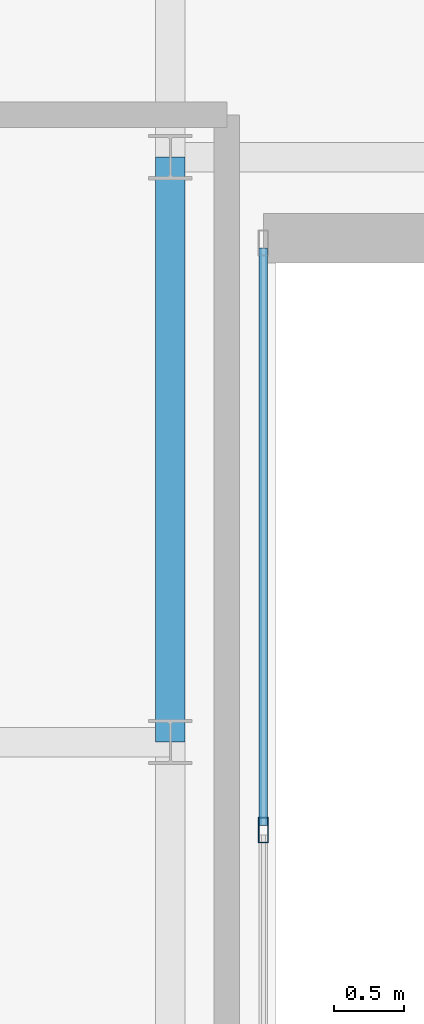
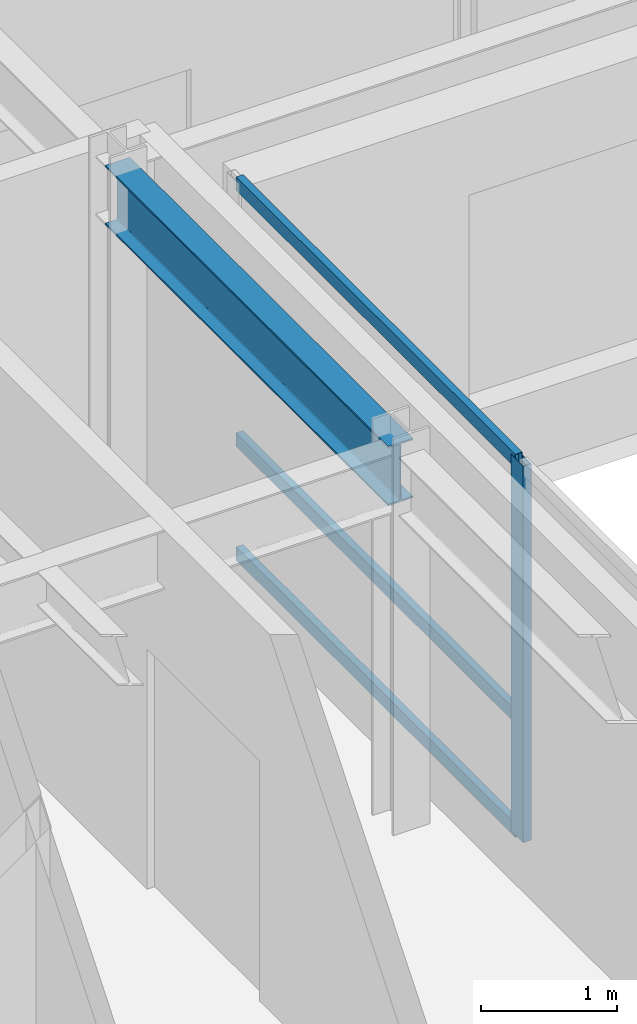
# One storey, part 6 of 18: 4 members, 1 beam, 1 element without a shape of its own.
"""IFC4 building model written with IfcOpenShell, lengths in metres."""

import ifcopenshell
import ifcopenshell.guid

model = None  # the IFC model being written
_history = None  # IfcOwnerHistory: only IFC2X3 demands one
_inside = {}  # id of a spatial element -> (the spatial element, [elements in it])
_under = {}  # id of a project, library or spatial element -> (it, [spatial elements below it])
_declared = {}  # id of a project -> (the project, [libraries it declares])
_typed = {}  # id of a type object -> (the type object, [elements of that type])
_made_of = {}  # id of a material, layer set ... -> (it, [elements and type objects made of it])


def new_model(schema):
    """Start an empty IFC model of exactly this schema.

    Asked for "IFC4X3", IfcOpenShell would pick the latest addendum, in which some entities
    have other attributes; the version numbers below select the first issue.
    IFC2X3 requires an IfcOwnerHistory on every rooted entity: one is made here for all.
    """
    global model, _history
    if schema == "IFC4X3":
        model = ifcopenshell.file(schema_version=(4, 3, 0, 0))
    else:
        model = ifcopenshell.file(schema=schema)
    _inside.clear()
    _under.clear()
    _declared.clear()
    _typed.clear()
    _made_of.clear()
    _history = None
    if model.schema == "IFC2X3":
        org = make("IfcOrganization", Name="unknown")
        user = make(
            "IfcPersonAndOrganization",
            ThePerson=make("IfcPerson", FamilyName="unknown"),
            TheOrganization=org,
        )
        app = make(
            "IfcApplication",
            ApplicationDeveloper=org,
            Version="unknown",
            ApplicationFullName="unknown",
            ApplicationIdentifier="unknown",
        )
        _history = make(
            "IfcOwnerHistory",
            OwningUser=user,
            OwningApplication=app,
            ChangeAction="ADDED",
            CreationDate=0,
        )
    return model


def make(cls, **values):
    """One entity of the class cls with the attributes given. An attribute that is None is left unset."""
    return model.create_entity(
        cls, **{name: value for name, value in values.items() if value is not None}
    )


def rooted(cls, **values):
    """An entity with a GlobalId (a new one), such as an element, a storey or a relation."""
    return make(cls, GlobalId=ifcopenshell.guid.new(), OwnerHistory=_history, **values)


def si_unit(unit_type, name, prefix=None):
    """IfcSIUnit, for example si_unit("LENGTHUNIT", "METRE", prefix="MILLI")."""
    return make("IfcSIUnit", UnitType=unit_type, Prefix=prefix, Name=name)


def assignment(units):
    """IfcUnitAssignment: the units of a project."""
    return None if units is None else make("IfcUnitAssignment", Units=units)


def point(xyz):
    """IfcCartesianPoint."""
    return None if xyz is None else make("IfcCartesianPoint", Coordinates=xyz)


def direction(xyz):
    """IfcDirection."""
    return None if xyz is None else make("IfcDirection", DirectionRatios=xyz)


def frame(location, z_axis=None, x_axis=None):
    """IfcAxis2Placement3D, a coordinate frame: its origin and axes. An axis left out is left unset."""
    return make(
        "IfcAxis2Placement3D",
        Location=point(location),
        Axis=direction(z_axis),
        RefDirection=direction(x_axis),
    )


def frame_2d(location, x_axis=None):
    """IfcAxis2Placement2D, a coordinate frame in the plane: its origin and x axis."""
    return make(
        "IfcAxis2Placement2D", Location=point(location), RefDirection=direction(x_axis)
    )


def origin():
    """The frame at (0, 0, 0) with its axes left unset."""
    return frame((0.0, 0.0, 0.0))


def origin_2d():
    """The frame at (0, 0) in the plane with its x axis left unset."""
    return frame_2d((0.0, 0.0))


def place(relative_to, where):
    """IfcLocalPlacement: puts the frame where relative to a parent placement (None: the world)."""
    return make(
        "IfcLocalPlacement", PlacementRelTo=relative_to, RelativePlacement=where
    )


def context(
    kind, dimensions, precision=None, world=None, true_north=None, identifier=None
):
    """IfcGeometricRepresentationContext, for example the 3D "Model" context."""
    return make(
        "IfcGeometricRepresentationContext",
        ContextIdentifier=identifier,
        ContextType=kind,
        CoordinateSpaceDimension=dimensions,
        Precision=precision,
        WorldCoordinateSystem=world,
        TrueNorth=true_north,
    )


def subcontext(parent, identifier, kind, view, scale=None):
    """IfcGeometricRepresentationSubContext, for example "Body" below "Model"."""
    return make(
        "IfcGeometricRepresentationSubContext",
        ContextIdentifier=identifier,
        ContextType=kind,
        ParentContext=parent,
        TargetScale=scale,
        TargetView=view,
    )


def project(units=None, contexts=None):
    """IfcProject with its units and contexts."""
    return rooted(
        "IfcProject",
        Name="project",
        RepresentationContexts=contexts,
        UnitsInContext=assignment(units),
    )


def spatial(cls, under=None, at=None, **own):
    """A site, building, storey or space (cls), placed at a placement, below another one or the project."""
    s = rooted(cls, ObjectPlacement=at, **own)
    if under is not None:
        _under.setdefault(under.id(), (under, []))[1].append(s)
    return s


def profile(cls, at=None, kind="AREA", **sizes):
    """A parametric profile (cls). Its sizes go by their IFC names, for example OverallWidth=200.0."""
    return make(cls, ProfileType=kind, Position=at, **sizes)


def hollow_rectangle(**sizes):
    """IfcRectangleHollowProfileDef."""
    return profile("IfcRectangleHollowProfileDef", **sizes)


def i_section(**sizes):
    """IfcIShapeProfileDef."""
    return profile("IfcIShapeProfileDef", **sizes)


def extrude(swept, where, along, depth):
    """IfcExtrudedAreaSolid: the profile swept, set in the frame where, extruded along a direction by depth."""
    return make(
        "IfcExtrudedAreaSolid",
        SweptArea=swept,
        Position=where,
        ExtrudedDirection=direction(along),
        Depth=depth,
    )


def shape(context_of_items, identifier, shape_type, items):
    """IfcShapeRepresentation: the items that make up one representation, for example the "Body"."""
    return make(
        "IfcShapeRepresentation",
        ContextOfItems=context_of_items,
        RepresentationIdentifier=identifier,
        RepresentationType=shape_type,
        Items=items,
    )


def source(mapping_origin, context_of_items, identifier, shape_type, items):
    """IfcRepresentationMap: a shape defined once, which mapped items show again and again."""
    return make(
        "IfcRepresentationMap",
        MappingOrigin=mapping_origin,
        MappedRepresentation=shape(context_of_items, identifier, shape_type, items),
    )


def transform(
    local_origin,
    x_axis=None,
    y_axis=None,
    z_axis=None,
    scale=None,
    scale2=None,
    scale3=None,
    uniform=True,
):
    """IfcCartesianTransformationOperator3D, or its non-uniform kind. x_axis, y_axis, z_axis: its Axis1, 2, 3."""
    if uniform:
        return make(
            "IfcCartesianTransformationOperator3D",
            Axis1=direction(x_axis),
            Axis2=direction(y_axis),
            LocalOrigin=point(local_origin),
            Scale=scale,
            Axis3=direction(z_axis),
        )
    return make(
        "IfcCartesianTransformationOperator3DnonUniform",
        Axis1=direction(x_axis),
        Axis2=direction(y_axis),
        LocalOrigin=point(local_origin),
        Scale=scale,
        Axis3=direction(z_axis),
        Scale2=scale2,
        Scale3=scale3,
    )


def mapped(mapping_source, mapping_target):
    """IfcMappedItem: shows the shape of a source again, moved by a transform."""
    return make(
        "IfcMappedItem", MappingSource=mapping_source, MappingTarget=mapping_target
    )


def material(Name=None, Category=None):
    """IfcMaterial."""
    return make("IfcMaterial", Name=Name, Category=Category)


def layer(
    of_material, thickness, ventilated=None, Name=None, Category=None, Priority=None
):
    """IfcMaterialLayer: one layer of a wall or slab, of a material (None: an air gap)."""
    return make(
        "IfcMaterialLayer",
        Material=of_material,
        LayerThickness=thickness,
        IsVentilated=ventilated,
        Name=Name,
        Category=Category,
        Priority=Priority,
    )


def layer_set(layers, Name=None):
    """IfcMaterialLayerSet."""
    return make("IfcMaterialLayerSet", MaterialLayers=layers, LayerSetName=Name)


def material_profile(
    of_material, cross_section, Name=None, Category=None, Priority=None
):
    """IfcMaterialProfile: a cross section and its material."""
    return make(
        "IfcMaterialProfile",
        Name=Name,
        Material=of_material,
        Profile=cross_section,
        Priority=Priority,
        Category=Category,
    )


def profile_set(profiles, Name=None, composite=None):
    """IfcMaterialProfileSet."""
    return make(
        "IfcMaterialProfileSet",
        Name=Name,
        MaterialProfiles=profiles,
        CompositeProfile=composite,
    )


def made_of(thing, what):
    """Note that an element or type object is made of a material, layer set ...; save() writes the relation."""
    if what is not None:
        _made_of.setdefault(what.id(), (what, []))[1].append(thing)
    return thing


def type_object(cls, material=None, **own):
    """A type object (cls), such as IfcWallType, which elements share."""
    return made_of(rooted(cls, **own), material)


def type_shapes(of_type, sources):
    """Give a type object the sources (RepresentationMaps) that its elements show as mapped items."""
    of_type.RepresentationMaps = sources


def element(
    cls,
    number,
    at=None,
    inside=None,
    cuts=None,
    type_object=None,
    material=None,
    context=None,
    identifier="Body",
    shape_type=None,
    held_by="IfcProductDefinitionShape",
    body=None,
    shapes=None,
    **own,
):
    """One element of the class cls, such as IfcWall. Its Tag is "e" and its number.

    at: its placement. inside: the storey or other place that contains it. cuts: it is an
    opening in that element (IfcRelVoidsElement). A single representation is given by context,
    identifier, shape_type and body (its items); several are given by shapes. held_by: the class
    of the entity that holds the representations. save() writes the other relations.
    """
    e = rooted(cls, Tag="e%d" % number, ObjectPlacement=at, **own)
    if body is not None:
        shapes = [shape(context, identifier, shape_type, body)]
    if shapes is not None:
        e.Representation = make(held_by, Representations=shapes)
    if inside is not None:
        _inside.setdefault(inside.id(), (inside, []))[1].append(e)
    if cuts is not None:
        rooted(
            "IfcRelVoidsElement", RelatingBuildingElement=cuts, RelatedOpeningElement=e
        )
    if type_object is not None:
        _typed.setdefault(type_object.id(), (type_object, []))[1].append(e)
    return made_of(e, material)


def aggregate(whole, parts):
    """IfcRelAggregates: a whole, such as a stair, and the parts it consists of."""
    return rooted("IfcRelAggregates", RelatingObject=whole, RelatedObjects=parts)


def save(model, path):
    """Write the relations noted so far, then the file.

    IfcRelAggregates (storeys below a building ...), IfcRelContainedInSpatialStructure (elements
    in a storey), IfcRelDefinesByType, IfcRelAssociatesMaterial and IfcRelDeclares: one each for
    every whole, place, type object, material and project.
    """
    for whole, parts in _under.values():
        aggregate(whole, parts)
    for where, things in _inside.values():
        rooted(
            "IfcRelContainedInSpatialStructure",
            RelatedElements=things,
            RelatingStructure=where,
        )
    for kind, things in _typed.values():
        rooted("IfcRelDefinesByType", RelatedObjects=things, RelatingType=kind)
    for what, things in _made_of.values():
        rooted("IfcRelAssociatesMaterial", RelatedObjects=things, RelatingMaterial=what)
    for by, libraries in _declared.values():
        rooted("IfcRelDeclares", RelatingContext=by, RelatedDefinitions=libraries)
    model.write(path)


model = new_model("IFC4")

# Units and contexts
model_context = context("Model", 3, precision=1e-05, world=origin(), true_north=direction((0.0, 1.0)))
body_context = subcontext(model_context, "Body", "Model", "MODEL_VIEW")
ifc_project = project(units=[si_unit("LENGTHUNIT", "METRE"), si_unit("AREAUNIT", "SQUARE_METRE"), si_unit("VOLUMEUNIT", "CUBIC_METRE"), si_unit("PLANEANGLEUNIT", "RADIAN"), si_unit("MASSUNIT", "GRAM", prefix="KILO")], contexts=[model_context])

# Site, building, storey
site_placement = place(None, origin())
site = spatial("IfcSite", under=ifc_project, at=site_placement, CompositionType="ELEMENT")
building_placement = place(site_placement, origin())
building = spatial("IfcBuilding", under=site, at=building_placement, Name="Tolvann Quenvar Hotel", CompositionType="ELEMENT")
storey_placement = place(building_placement, frame((0.0, 0.0, 259.39990234375)))
storey = spatial("IfcBuildingStorey", under=building, at=storey_placement, Name="L69", CompositionType="ELEMENT", Elevation=259.39990234375)

# Beam
ifc_material_1 = material(Name="Steel Grade 350", Category="steel")
ifc_material_profile_1 = material_profile(ifc_material_1, i_section(OverallWidth=0.208984375, OverallDepth=0.532958984375, WebThickness=0.01025390625, FlangeThickness=0.015625, FilletRadius=0.013916015625, at=origin_2d()), Name="530UB92")
ifc_profile_set_1 = profile_set([ifc_material_profile_1], Name="Steel Grade 350")
beam_type = type_object("IfcBeamType", Name="BM_GIRD_530UB92", PredefinedType="BEAM", material=ifc_profile_set_1)
shared_shape_1 = source(origin(), body_context, "Body", "SweptSolid", [
    extrude(i_section(OverallWidth=0.208984375, OverallDepth=0.532958984375, WebThickness=0.01025390625, FlangeThickness=0.015625, FilletRadius=0.013916015625, at=origin_2d()), origin(), (0.0, 0.0, 1.0), 4.14990234375),
])
type_shapes(beam_type, [shared_shape_1])
beam_placement = place(storey_placement, frame((14.449951171875, 16.0, 3.103515625), z_axis=(0.0, 1.0, 0.0), x_axis=(-1.0, 0.0, 0.0)))
element("IfcBeam", 1, at=beam_placement, inside=storey, type_object=beam_type, Name="BM-L69-NS-D4-D4P", PredefinedType="BEAM", context=body_context, shape_type="MappedRepresentation", body=[
    mapped(shared_shape_1, transform((0.0, 0.0, 0.0), x_axis=(1.0, 0.0, 0.0), y_axis=(0.0, 1.0, 0.0), z_axis=(0.0, 0.0, 1.0), scale=1.0)),
])

# Curtain wall, members
ifc_material_2 = material(Name="Thermally broken anodised architectural aluminium 6063-T6 and laminated low-E glass", Category="aluminium")
ifc_layer = layer(ifc_material_2, 0.179931640625)
ifc_layer_set = layer_set([ifc_layer], Name="Thermally broken anodised architectural aluminium 6063-T6 and laminated low-E glass")
curtain_wall_type = type_object("IfcCurtainWallType", Name="CW_SYS_PORTAL_05", PredefinedType="USERDEFINED", material=ifc_layer_set)
curtain_wall_placement = place(storey_placement, origin())
curtain_wall = element("IfcCurtainWall", 2, at=curtain_wall_placement, inside=storey, type_object=curtain_wall_type, Name="Curtain Wall CW-PORTAL-05 (CWR-L69-E05)", ObjectType="UNITISED CURTAIN WALL", PredefinedType="USERDEFINED")
ifc_material_3 = material(Name="Anodised architectural aluminium 6063-T6 framing", Category="aluminium")
ifc_material_profile_2 = material_profile(ifc_material_3, hollow_rectangle(XDim=0.070068359375, YDim=0.179931640625, WallThickness=0.00390625, at=origin_2d()), Name="180x70x4RHS")
ifc_profile_set_2 = profile_set([ifc_material_profile_2], Name="Anodised architectural aluminium 6063-T6 framing")
member_type_1 = type_object("IfcMemberType", Name="CW_MULL_180x70", PredefinedType="MULLION", material=ifc_profile_set_2)
shared_shape_2 = source(origin(), body_context, "Body", "SweptSolid", [
    extrude(hollow_rectangle(XDim=0.070068359375, YDim=0.179931640625, WallThickness=0.00390625, at=origin_2d()), origin(), (0.0, 0.0, 1.0), 3.3701171875),
])
type_shapes(member_type_1, [shared_shape_2])
member_1_placement = place(storey_placement, frame((15.110107421875, 15.375, 0.0), z_axis=(0.0, 0.0, 1.0), x_axis=(-1.0, 0.0, 0.0)))
member_1 = element("IfcMember", 3, at=member_1_placement, type_object=member_type_1, Name="CW-PORTAL-05 mullion 4", PredefinedType="MULLION", context=body_context, shape_type="MappedRepresentation", body=[
    mapped(shared_shape_2, transform((0.0, 0.0, 0.0), x_axis=(1.0, 0.0, 0.0), y_axis=(0.0, 1.0, 0.0), z_axis=(0.0, 0.0, 1.0), scale=1.0)),
])
ifc_material_profile_3 = material_profile(ifc_material_3, hollow_rectangle(XDim=0.06005859375, YDim=0.1201171875, WallThickness=0.00341796875, at=origin_2d()), Name="120x60x3.5RHS")
ifc_profile_set_3 = profile_set([ifc_material_profile_3], Name="Anodised architectural aluminium 6063-T6 framing")
member_type_2 = type_object("IfcMemberType", Name="CW_TRAN_120x60", PredefinedType="USERDEFINED", material=ifc_profile_set_3)
shared_shape_3 = source(origin(), body_context, "Body", "SweptSolid", [
    extrude(hollow_rectangle(XDim=0.06005859375, YDim=0.1201171875, WallThickness=0.00341796875, at=origin_2d()), origin(), (0.0, 0.0, 1.0), 4.094970703125),
])
type_shapes(member_type_2, [shared_shape_3])
member_2_placement = place(storey_placement, frame((15.110107421875, 15.409912109375, 0.030029296875), z_axis=(0.0, 1.0, 0.0), x_axis=(-1.0, 0.0, 0.0)))
member_2 = element("IfcMember", 4, at=member_2_placement, type_object=member_type_2, Name="CW-PORTAL-05 transom 4.1", ObjectType="TRANSOM", PredefinedType="USERDEFINED", context=body_context, shape_type="MappedRepresentation", body=[
    mapped(shared_shape_3, transform((0.0, 0.0, 0.0), x_axis=(1.0, 0.0, 0.0), y_axis=(0.0, 1.0, 0.0), z_axis=(0.0, 0.0, 1.0), scale=1.0)),
])
member_3_placement = place(storey_placement, frame((15.110107421875, 15.409912109375, 1.050048828125), z_axis=(0.0, 1.0, 0.0), x_axis=(-1.0, 0.0, 0.0)))
member_3 = element("IfcMember", 5, at=member_3_placement, type_object=member_type_2, Name="CW-PORTAL-05 transom 4.2", ObjectType="TRANSOM", PredefinedType="USERDEFINED", context=body_context, shape_type="MappedRepresentation", body=[
    mapped(shared_shape_3, transform((0.0, 0.0, 0.0), x_axis=(1.0, 0.0, 0.0), y_axis=(0.0, 1.0, 0.0), z_axis=(0.0, 0.0, 1.0), scale=1.0)),
])
member_4_placement = place(storey_placement, frame((15.110107421875, 15.409912109375, 3.340087890625), z_axis=(0.0, 1.0, 0.0), x_axis=(-1.0, 0.0, 0.0)))
member_4 = element("IfcMember", 6, at=member_4_placement, type_object=member_type_2, Name="CW-PORTAL-05 transom 4.3", ObjectType="TRANSOM", PredefinedType="USERDEFINED", context=body_context, shape_type="MappedRepresentation", body=[
    mapped(shared_shape_3, transform((0.0, 0.0, 0.0), x_axis=(1.0, 0.0, 0.0), y_axis=(0.0, 1.0, 0.0), z_axis=(0.0, 0.0, 1.0), scale=1.0)),
])
aggregate(curtain_wall, [member_1, member_2, member_3, member_4])

save(model, "model.ifc")
